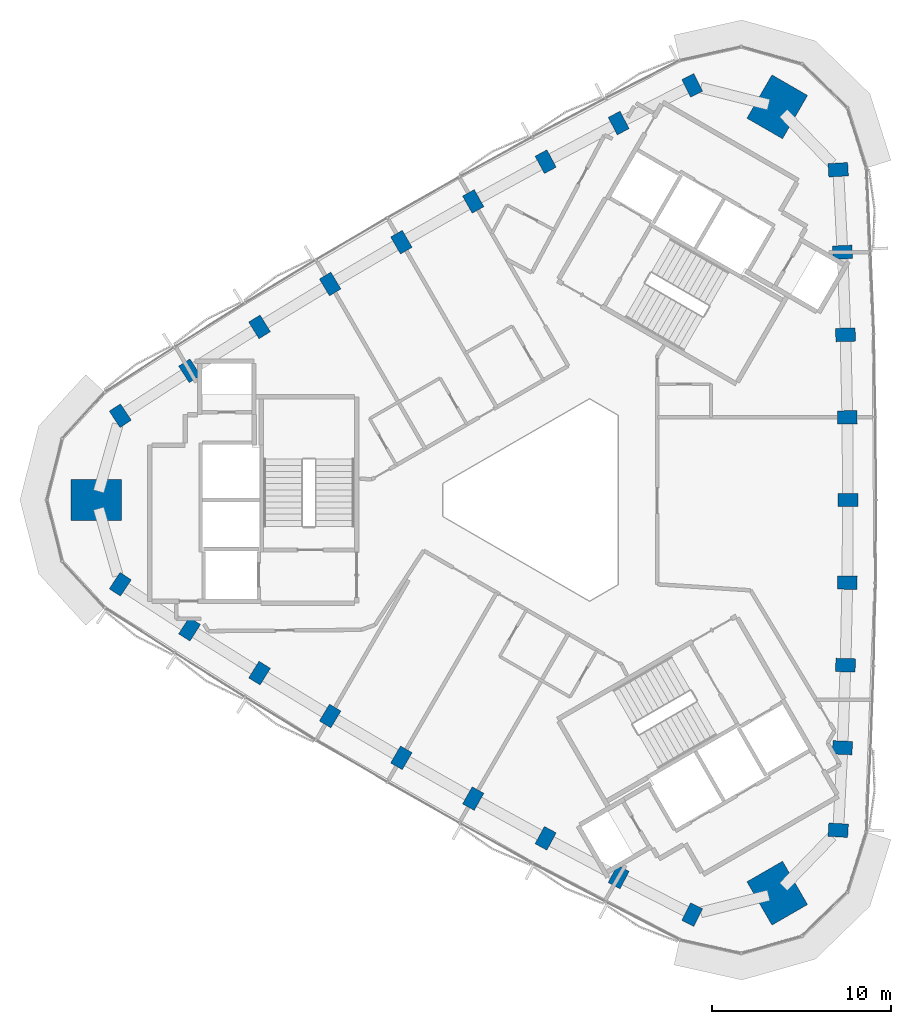
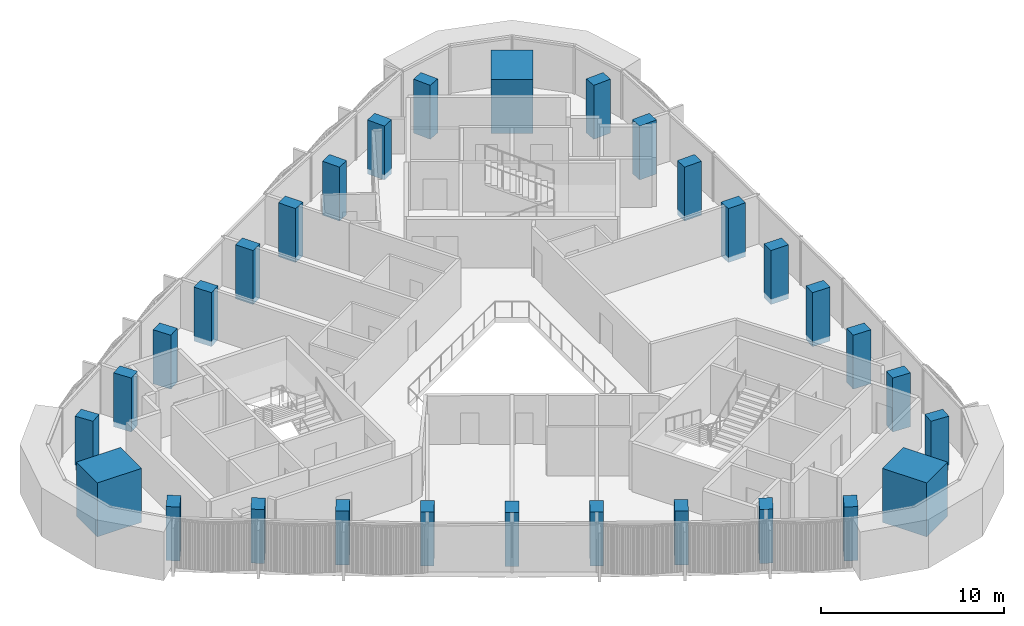
# One storey, part 1 of 14: 30 columns.
"""IFC4 building model written with IfcOpenShell, lengths in metres."""

from ifc_helpers import new_model, si_unit, direction, frame, origin, origin_2d, place, context, subcontext, project, spatial, rectangle, extrude, material, material_profile, profile_set, type_object, element, save


model = new_model("IFC4")

# Units and contexts
model_context = context("Model", 3, precision=1e-05, world=origin(), true_north=direction((0.0, 1.0)))
body_context = subcontext(model_context, "Body", "Model", "MODEL_VIEW")
ifc_project = project(units=[si_unit("LENGTHUNIT", "METRE"), si_unit("AREAUNIT", "SQUARE_METRE"), si_unit("VOLUMEUNIT", "CUBIC_METRE"), si_unit("PLANEANGLEUNIT", "RADIAN"), si_unit("MASSUNIT", "GRAM", prefix="KILO")], contexts=[model_context])

# Site, building, storey
site_placement = place(None, origin())
site = spatial("IfcSite", under=ifc_project, at=site_placement, CompositionType="ELEMENT")
building_placement = place(site_placement, origin())
building = spatial("IfcBuilding", under=site, at=building_placement, Name="Tamra Quay Hotel Tower", CompositionType="ELEMENT")
storey_placement = place(building_placement, frame((0.0, 0.0, 228.60009765625)))
storey = spatial("IfcBuildingStorey", under=building, at=storey_placement, Name="L57", CompositionType="ELEMENT", Elevation=228.60009765625)

# Columns
ifc_material = material(Name="Concrete M70", Category="concrete")
ifc_material_profile_1 = material_profile(ifc_material, rectangle(XDim=1.10009765625, YDim=0.75, at=origin_2d()), Name="COLUMN RC 750x1100 Z5")
ifc_profile_set_1 = profile_set([ifc_material_profile_1], Name="Concrete M70")
column_type_1 = type_object("IfcColumnType", Name="COLUMN RC 750x1100 Z5", PredefinedType="COLUMN", material=ifc_profile_set_1)
for number, where, z_axis, x_axis, name in (
    (1, (16.12548828125, -18.490966796875, -0.35009765625), (0.0, 0.0, 1.0), (-0.998292120165, 0.05841954139, 0.0), "COL-C5E01-L57"),
    (2, (16.36328125, -13.87158203125, -0.35009765625), (0.0, 0.0, 1.0), (-0.999033395056, 0.043957656467, 0.0), "COL-C5E02-L57"),
    (3, (16.533203125, -9.24951171875, -0.35009765625), (0.0, 0.0, 1.0), (-0.999578606696, 0.029027728727, 0.0), "COL-C5E03-L57"),
    (4, (16.63525390625, -4.625, -0.35009765625), (0.0, 0.0, 1.0), (-0.999888113, 0.014958659101, 0.0), "COL-C5E04-L57"),
    (5, (16.66943359375, 0.0, -0.35009765625), (0.0, 0.0, 1.0), (1.0, 0.0, 0.0), "COL-C5E05-L57"),
    (6, (16.63525390625, 4.625, -0.35009765625), (0.0, 0.0, 1.0), (0.999888113, 0.014958659101, 0.0), "COL-C5E06-L57"),
    (7, (16.533203125, 9.24951171875, -0.35009765625), (0.0, 0.0, 1.0), (0.999578606696, 0.029027728727, 0.0), "COL-C5E07-L57"),
    (8, (16.36328125, 13.87158203125, -0.35009765625), (0.0, 0.0, 1.0), (0.999033395056, 0.043957656467, 0.0), "COL-C5E08-L57"),
    (9, (16.12548828125, 18.490966796875, -0.35009765625), (0.0, 0.0, 1.0), (0.998292120165, 0.05841954139, 0.0), "COL-C5E09-L57"),
    (10, (7.950927734375, 23.210693359375, -0.35009765625), (0.0, 0.0, 1.0), (-0.448553253162, 0.893756107156, 0.0), "COL-C5NW01-L57"),
    (11, (3.83154296875, 21.10693359375, -0.35009765625), (0.0, 0.0, 1.0), (-0.461448250337, 0.887167127581, 0.0), "COL-C5NW02-L57"),
    (12, (-0.25634765625, 18.943115234375, -0.35009765625), (0.0, 0.0, 1.0), (-0.474650552857, 0.880174330842, 0.0), "COL-C5NW03-L57"),
    (13, (-4.312255859375, 16.718994140625, -0.35009765625), (0.0, 0.0, 1.0), (-0.486989477712, 0.87340783635, 0.0), "COL-C5NW04-L57"),
    (14, (-8.334716796875, 14.43603515625, -0.35009765625), (0.0, 0.0, 1.0), (-0.5, 0.866025403784, 0.0), "COL-C5NW05-L57"),
    (15, (-12.322998046875, 12.093994140625, -0.35009765625), (0.0, 0.0, 1.0), (-0.512898635288, 0.858449177249, 0.0), "COL-C5NW06-L57"),
    (16, (-16.277099609375, 9.693359375, -0.35009765625), (0.0, 0.0, 1.0), (-0.52492805384, 0.851146602115, 0.0), "COL-C5NW07-L57"),
    (17, (-20.19482421875, 7.235107421875, -0.35009765625), (0.0, 0.0, 1.0), (-0.537585144719, 0.843209471114, 0.0), "COL-C5NW08-L57"),
    (18, (-24.076416015625, 4.7197265625, -0.35009765625), (0.0, 0.0, 1.0), (-0.549738867003, 0.835336565766, 0.0), "COL-C5NW09-L57"),
    (19, (-24.076416015625, -4.7197265625, -0.35009765625), (0.0, 0.0, 1.0), (0.549738867003, 0.835336565766, 0.0), "COL-C5SW01-L57"),
    (20, (-20.19482421875, -7.235107421875, -0.35009765625), (0.0, 0.0, 1.0), (0.537585144719, 0.843209471114, 0.0), "COL-C5SW02-L57"),
    (21, (-16.277099609375, -9.693359375, -0.35009765625), (0.0, 0.0, 1.0), (0.52492805384, 0.851146602115, 0.0), "COL-C5SW03-L57"),
    (22, (-12.322998046875, -12.093994140625, -0.35009765625), (0.0, 0.0, 1.0), (0.512898635288, 0.858449177249, 0.0), "COL-C5SW04-L57"),
    (23, (-8.334716796875, -14.43603515625, -0.35009765625), (0.0, 0.0, 1.0), (0.5, 0.866025403784, 0.0), "COL-C5SW05-L57"),
    (24, (-4.312255859375, -16.718994140625, -0.35009765625), (0.0, 0.0, 1.0), (0.486989477712, 0.87340783635, 0.0), "COL-C5SW06-L57"),
    (25, (-0.25634765625, -18.943115234375, -0.35009765625), (0.0, 0.0, 1.0), (0.474650552857, 0.880174330842, 0.0), "COL-C5SW07-L57"),
    (26, (3.83154296875, -21.10693359375, -0.35009765625), (0.0, 0.0, 1.0), (0.461448250337, 0.887167127581, 0.0), "COL-C5SW08-L57"),
    (27, (7.950927734375, -23.210693359375, -0.35009765625), (0.0, 0.0, 1.0), (0.448553253162, 0.893756107156, 0.0), "COL-C5SW09-L57"),
):
    element("IfcColumn", number, at=place(storey_placement, frame(where, z_axis=z_axis, x_axis=x_axis)), inside=storey, type_object=column_type_1, Name=name, PredefinedType="COLUMN", context=body_context, shape_type="SweptSolid", body=[
        extrude(rectangle(XDim=1.10009765625, YDim=0.75, at=origin_2d()), origin(), (0.0, 0.0, 1.0), 3.60009765625),
    ])
ifc_material_profile_2 = material_profile(ifc_material, rectangle(XDim=2.800048828125, YDim=2.300048828125, at=origin_2d()), Name="MEGA COLUMN RC 2300x2800 Z5")
ifc_profile_set_2 = profile_set([ifc_material_profile_2], Name="Concrete M70")
column_type_2 = type_object("IfcColumnType", Name="MEGA COLUMN RC 2300x2800 Z5", PredefinedType="COLUMN", material=ifc_profile_set_2)
for number, where, z_axis, x_axis, name in (
    (28, (12.710205078125, 22.0146484375, -0.35009765625), (0.0, 0.0, 1.0), (0.5, 0.866025403784, 0.0), "COL-M5NE-L57"),
    (29, (-25.42041015625, 0.0, -0.35009765625), (0.0, 0.0, 1.0), (1.0, 0.0, 0.0), "COL-M5W-L57"),
    (30, (12.710205078125, -22.0146484375, -0.35009765625), (0.0, 0.0, 1.0), (-0.5, 0.866025403784, 0.0), "COL-M5SE-L57"),
):
    element("IfcColumn", number, at=place(storey_placement, frame(where, z_axis=z_axis, x_axis=x_axis)), inside=storey, type_object=column_type_2, Name=name, PredefinedType="COLUMN", context=body_context, shape_type="SweptSolid", body=[
        extrude(rectangle(XDim=2.800048828125, YDim=2.300048828125, at=origin_2d()), origin(), (0.0, 0.0, 1.0), 3.60009765625),
    ])

save(model, "model.ifc")
